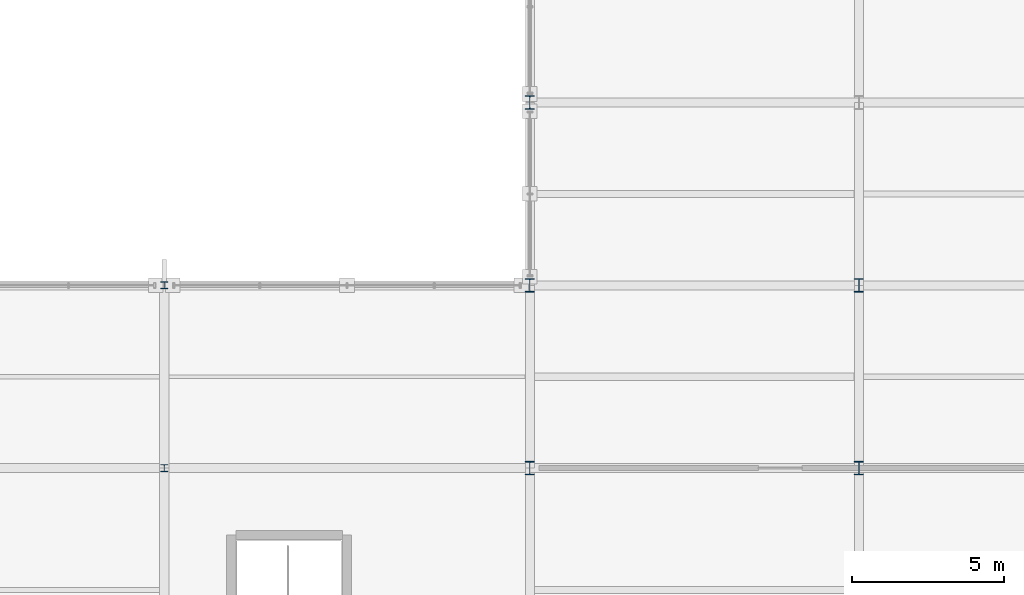
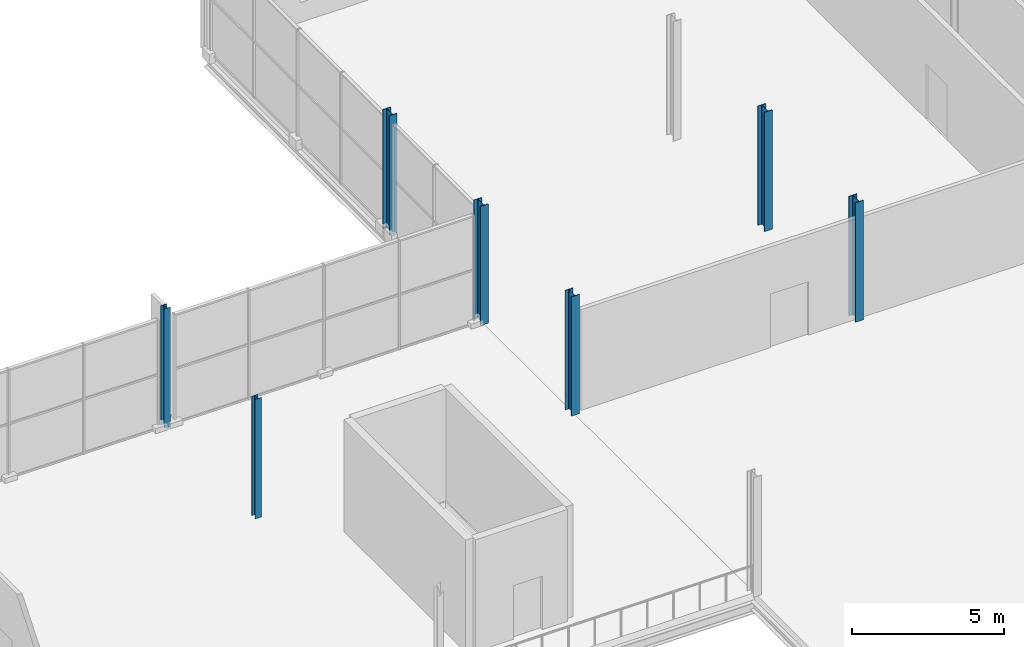
# One storey, part 18 of 159: 7 columns.
"""IFC4 building model written with IfcOpenShell, lengths in metres."""

from ifc_helpers import new_model, si_unit, direction, frame, origin, origin_2d, place, context, subcontext, project, spatial, i_section, extrude, material, material_profile, profile_set, type_object, element, save


model = new_model("IFC4")

# Units and contexts
model_context = context("Model", 3, precision=1e-05, world=origin(), true_north=direction((0.0, 1.0)))
body_context = subcontext(model_context, "Body", "Model", "MODEL_VIEW")
ifc_project = project(units=[si_unit("LENGTHUNIT", "METRE"), si_unit("AREAUNIT", "SQUARE_METRE"), si_unit("VOLUMEUNIT", "CUBIC_METRE"), si_unit("PLANEANGLEUNIT", "RADIAN"), si_unit("MASSUNIT", "GRAM", prefix="KILO")], contexts=[model_context])

# Site, building, storey
site_placement = place(None, origin())
site = spatial("IfcSite", under=ifc_project, at=site_placement, CompositionType="ELEMENT")
building_placement = place(site_placement, origin())
building = spatial("IfcBuilding", under=site, at=building_placement, Name="Merenkruunu Market Hall", CompositionType="ELEMENT")
storey_placement = place(building_placement, frame((0.0, 0.0, 5.39990234375)))
storey = spatial("IfcBuildingStorey", under=building, at=storey_placement, Name="L01", CompositionType="ELEMENT", Elevation=5.39990234375)

# Columns
ifc_material = material(Name="Steel S355J2", Category="steel")
ifc_material_profile_1 = material_profile(ifc_material, i_section(OverallWidth=0.300048828125, OverallDepth=0.449951171875, WebThickness=0.013916015625, FlangeThickness=0.02587890625, FilletRadius=0.027099609375, at=origin_2d()), Name="HEB 450")
ifc_profile_set_1 = profile_set([ifc_material_profile_1], Name="Steel S355J2")
column_type_1 = type_object("IfcColumnType", Name="Structural Column C03", PredefinedType="COLUMN", material=ifc_profile_set_1)
column_placement = place(storey_placement, frame((159.60009765625, 39.60009765625, 0.0), z_axis=(0.0, 0.0, 1.0), x_axis=(1.0, 0.0, 0.0)))
element("IfcColumn", 1, at=column_placement, inside=storey, type_object=column_type_1, Name="COL-L01-R-05", PredefinedType="COLUMN", context=body_context, shape_type="SweptSolid", body=[
    extrude(i_section(OverallWidth=0.300048828125, OverallDepth=0.449951171875, WebThickness=0.013916015625, FlangeThickness=0.02587890625, FilletRadius=0.027099609375, at=origin_2d()), origin(), (0.0, 0.0, 1.0), 4.800048828125),
])
ifc_material_profile_2 = material_profile(ifc_material, i_section(OverallWidth=0.300048828125, OverallDepth=0.43994140625, WebThickness=0.011474609375, FlangeThickness=0.02099609375, FilletRadius=0.027099609375, at=origin_2d()), Name="HEA 450")
ifc_profile_set_2 = profile_set([ifc_material_profile_2], Name="Steel S355J2")
column_type_2 = type_object("IfcColumnType", Name="Structural Column C07", PredefinedType="COLUMN", material=ifc_profile_set_2)
for number, where, z_axis, x_axis, name in (
    (2, (148.800048828125, 39.60009765625, 0.0), (0.0, 0.0, 1.0), (1.0, 0.0, 0.0), "COL-L01-Q-05"),
    (3, (148.800048828125, 45.60009765625, 0.0), (0.0, 0.0, 1.0), (1.0, 0.0, 0.0), "COL-L01-Q-06"),
    (4, (148.800048828125, 51.60009765625, 0.0), (0.0, 0.0, 1.0), (1.0, 0.0, 0.0), "COL-L01-Q-07"),
    (5, (159.60009765625, 45.60009765625, 0.0), (0.0, 0.0, 1.0), (1.0, 0.0, 0.0), "COL-L01-R-06"),
):
    element("IfcColumn", number, at=place(storey_placement, frame(where, z_axis=z_axis, x_axis=x_axis)), inside=storey, type_object=column_type_2, Name=name, PredefinedType="COLUMN", context=body_context, shape_type="SweptSolid", body=[
        extrude(i_section(OverallWidth=0.300048828125, OverallDepth=0.43994140625, WebThickness=0.011474609375, FlangeThickness=0.02099609375, FilletRadius=0.027099609375, at=origin_2d()), origin(), (0.0, 0.0, 1.0), 4.800048828125),
    ])
ifc_material_profile_3 = material_profile(ifc_material, i_section(OverallWidth=0.239990234375, OverallDepth=0.22998046875, WebThickness=0.007568359375, FlangeThickness=0.011962890625, FilletRadius=0.02099609375, at=origin_2d()), Name="HEA 240")
ifc_profile_set_3 = profile_set([ifc_material_profile_3], Name="Steel S355J2")
column_type_3 = type_object("IfcColumnType", Name="Structural Column C10", PredefinedType="COLUMN", material=ifc_profile_set_3)
for number, where, z_axis, x_axis, name in (
    (6, (136.800048828125, 39.60009765625, 0.0), (0.0, 0.0, 1.0), (1.0, 0.0, 0.0), "COL-L01-P-05"),
    (7, (136.800048828125, 45.60009765625, 0.0), (0.0, 0.0, 1.0), (1.0, 0.0, 0.0), "COL-L01-P-06"),
):
    element("IfcColumn", number, at=place(storey_placement, frame(where, z_axis=z_axis, x_axis=x_axis)), inside=storey, type_object=column_type_3, Name=name, PredefinedType="COLUMN", context=body_context, shape_type="SweptSolid", body=[
        extrude(i_section(OverallWidth=0.239990234375, OverallDepth=0.22998046875, WebThickness=0.007568359375, FlangeThickness=0.011962890625, FilletRadius=0.02099609375, at=origin_2d()), origin(), (0.0, 0.0, 1.0), 4.800048828125),
    ])

save(model, "model.ifc")
